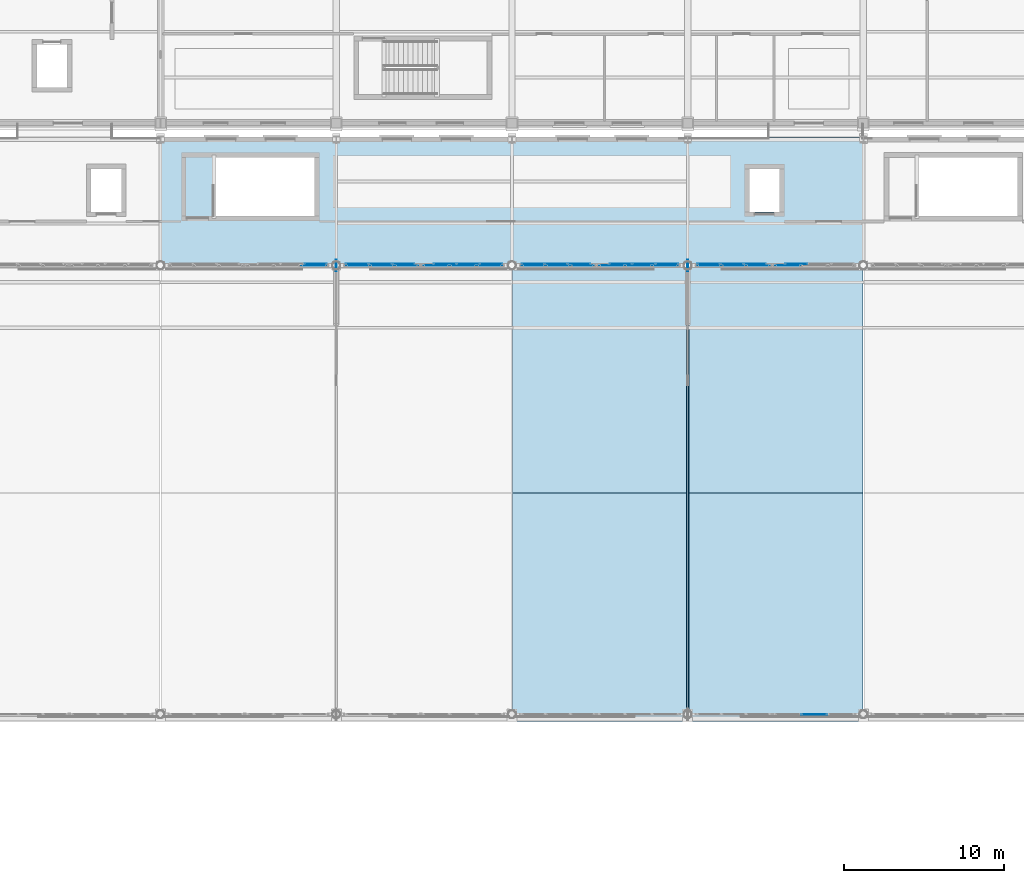
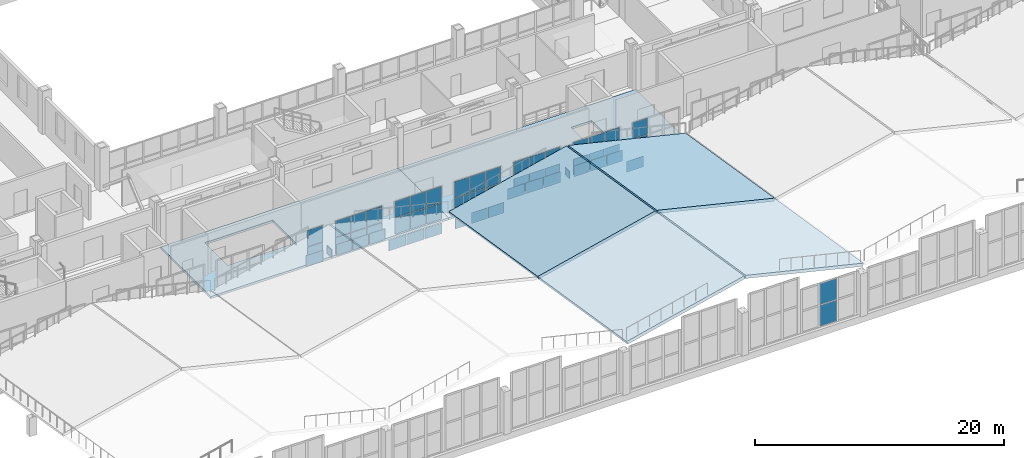
# One storey, part 80 of 120: 55 plates, 6 slabs, 15 elements without a shape of their own.
"""IFC4 building model written with IfcOpenShell, lengths in metres."""

import ifcopenshell
import ifcopenshell.guid

model = None  # the IFC model being written
_history = None  # IfcOwnerHistory: only IFC2X3 demands one
_inside = {}  # id of a spatial element -> (the spatial element, [elements in it])
_under = {}  # id of a project, library or spatial element -> (it, [spatial elements below it])
_declared = {}  # id of a project -> (the project, [libraries it declares])
_typed = {}  # id of a type object -> (the type object, [elements of that type])
_made_of = {}  # id of a material, layer set ... -> (it, [elements and type objects made of it])


def new_model(schema):
    """Start an empty IFC model of exactly this schema.

    Asked for "IFC4X3", IfcOpenShell would pick the latest addendum, in which some entities
    have other attributes; the version numbers below select the first issue.
    IFC2X3 requires an IfcOwnerHistory on every rooted entity: one is made here for all.
    """
    global model, _history
    if schema == "IFC4X3":
        model = ifcopenshell.file(schema_version=(4, 3, 0, 0))
    else:
        model = ifcopenshell.file(schema=schema)
    _inside.clear()
    _under.clear()
    _declared.clear()
    _typed.clear()
    _made_of.clear()
    _history = None
    if model.schema == "IFC2X3":
        org = make("IfcOrganization", Name="unknown")
        user = make(
            "IfcPersonAndOrganization",
            ThePerson=make("IfcPerson", FamilyName="unknown"),
            TheOrganization=org,
        )
        app = make(
            "IfcApplication",
            ApplicationDeveloper=org,
            Version="unknown",
            ApplicationFullName="unknown",
            ApplicationIdentifier="unknown",
        )
        _history = make(
            "IfcOwnerHistory",
            OwningUser=user,
            OwningApplication=app,
            ChangeAction="ADDED",
            CreationDate=0,
        )
    return model


def make(cls, **values):
    """One entity of the class cls with the attributes given. An attribute that is None is left unset."""
    return model.create_entity(
        cls, **{name: value for name, value in values.items() if value is not None}
    )


def rooted(cls, **values):
    """An entity with a GlobalId (a new one), such as an element, a storey or a relation."""
    return make(cls, GlobalId=ifcopenshell.guid.new(), OwnerHistory=_history, **values)


def si_unit(unit_type, name, prefix=None):
    """IfcSIUnit, for example si_unit("LENGTHUNIT", "METRE", prefix="MILLI")."""
    return make("IfcSIUnit", UnitType=unit_type, Prefix=prefix, Name=name)


def assignment(units):
    """IfcUnitAssignment: the units of a project."""
    return None if units is None else make("IfcUnitAssignment", Units=units)


def point(xyz):
    """IfcCartesianPoint."""
    return None if xyz is None else make("IfcCartesianPoint", Coordinates=xyz)


def direction(xyz):
    """IfcDirection."""
    return None if xyz is None else make("IfcDirection", DirectionRatios=xyz)


def frame(location, z_axis=None, x_axis=None):
    """IfcAxis2Placement3D, a coordinate frame: its origin and axes. An axis left out is left unset."""
    return make(
        "IfcAxis2Placement3D",
        Location=point(location),
        Axis=direction(z_axis),
        RefDirection=direction(x_axis),
    )


def frame_2d(location, x_axis=None):
    """IfcAxis2Placement2D, a coordinate frame in the plane: its origin and x axis."""
    return make(
        "IfcAxis2Placement2D", Location=point(location), RefDirection=direction(x_axis)
    )


def origin():
    """The frame at (0, 0, 0) with its axes left unset."""
    return frame((0.0, 0.0, 0.0))


def origin_2d():
    """The frame at (0, 0) in the plane with its x axis left unset."""
    return frame_2d((0.0, 0.0))


def place(relative_to, where):
    """IfcLocalPlacement: puts the frame where relative to a parent placement (None: the world)."""
    return make(
        "IfcLocalPlacement", PlacementRelTo=relative_to, RelativePlacement=where
    )


def context(
    kind, dimensions, precision=None, world=None, true_north=None, identifier=None
):
    """IfcGeometricRepresentationContext, for example the 3D "Model" context."""
    return make(
        "IfcGeometricRepresentationContext",
        ContextIdentifier=identifier,
        ContextType=kind,
        CoordinateSpaceDimension=dimensions,
        Precision=precision,
        WorldCoordinateSystem=world,
        TrueNorth=true_north,
    )


def subcontext(parent, identifier, kind, view, scale=None):
    """IfcGeometricRepresentationSubContext, for example "Body" below "Model"."""
    return make(
        "IfcGeometricRepresentationSubContext",
        ContextIdentifier=identifier,
        ContextType=kind,
        ParentContext=parent,
        TargetScale=scale,
        TargetView=view,
    )


def project(units=None, contexts=None):
    """IfcProject with its units and contexts."""
    return rooted(
        "IfcProject",
        Name="project",
        RepresentationContexts=contexts,
        UnitsInContext=assignment(units),
    )


def spatial(cls, under=None, at=None, **own):
    """A site, building, storey or space (cls), placed at a placement, below another one or the project."""
    s = rooted(cls, ObjectPlacement=at, **own)
    if under is not None:
        _under.setdefault(under.id(), (under, []))[1].append(s)
    return s


def polyline(points):
    """IfcPolyline through the points."""
    return make("IfcPolyline", Points=[point(p) for p in points])


def profile(cls, at=None, kind="AREA", **sizes):
    """A parametric profile (cls). Its sizes go by their IFC names, for example OverallWidth=200.0."""
    return make(cls, ProfileType=kind, Position=at, **sizes)


def rectangle(**sizes):
    """IfcRectangleProfileDef."""
    return profile("IfcRectangleProfileDef", **sizes)


def outline(outer, holes=None, kind="AREA"):
    """IfcArbitraryClosedProfileDef: a profile drawn as a closed curve; with holes, ...WithVoids."""
    if holes is None:
        return make("IfcArbitraryClosedProfileDef", ProfileType=kind, OuterCurve=outer)
    return make(
        "IfcArbitraryProfileDefWithVoids",
        ProfileType=kind,
        OuterCurve=outer,
        InnerCurves=holes,
    )


def extrude(swept, where, along, depth):
    """IfcExtrudedAreaSolid: the profile swept, set in the frame where, extruded along a direction by depth."""
    return make(
        "IfcExtrudedAreaSolid",
        SweptArea=swept,
        Position=where,
        ExtrudedDirection=direction(along),
        Depth=depth,
    )


def shape(context_of_items, identifier, shape_type, items):
    """IfcShapeRepresentation: the items that make up one representation, for example the "Body"."""
    return make(
        "IfcShapeRepresentation",
        ContextOfItems=context_of_items,
        RepresentationIdentifier=identifier,
        RepresentationType=shape_type,
        Items=items,
    )


def material(Name=None, Category=None):
    """IfcMaterial."""
    return make("IfcMaterial", Name=Name, Category=Category)


def layer(
    of_material, thickness, ventilated=None, Name=None, Category=None, Priority=None
):
    """IfcMaterialLayer: one layer of a wall or slab, of a material (None: an air gap)."""
    return make(
        "IfcMaterialLayer",
        Material=of_material,
        LayerThickness=thickness,
        IsVentilated=ventilated,
        Name=Name,
        Category=Category,
        Priority=Priority,
    )


def layer_set(layers, Name=None):
    """IfcMaterialLayerSet."""
    return make("IfcMaterialLayerSet", MaterialLayers=layers, LayerSetName=Name)


def made_of(thing, what):
    """Note that an element or type object is made of a material, layer set ...; save() writes the relation."""
    if what is not None:
        _made_of.setdefault(what.id(), (what, []))[1].append(thing)
    return thing


def type_object(cls, material=None, **own):
    """A type object (cls), such as IfcWallType, which elements share."""
    return made_of(rooted(cls, **own), material)


def element(
    cls,
    number,
    at=None,
    inside=None,
    cuts=None,
    type_object=None,
    material=None,
    context=None,
    identifier="Body",
    shape_type=None,
    held_by="IfcProductDefinitionShape",
    body=None,
    shapes=None,
    **own,
):
    """One element of the class cls, such as IfcWall. Its Tag is "e" and its number.

    at: its placement. inside: the storey or other place that contains it. cuts: it is an
    opening in that element (IfcRelVoidsElement). A single representation is given by context,
    identifier, shape_type and body (its items); several are given by shapes. held_by: the class
    of the entity that holds the representations. save() writes the other relations.
    """
    e = rooted(cls, Tag="e%d" % number, ObjectPlacement=at, **own)
    if body is not None:
        shapes = [shape(context, identifier, shape_type, body)]
    if shapes is not None:
        e.Representation = make(held_by, Representations=shapes)
    if inside is not None:
        _inside.setdefault(inside.id(), (inside, []))[1].append(e)
    if cuts is not None:
        rooted(
            "IfcRelVoidsElement", RelatingBuildingElement=cuts, RelatedOpeningElement=e
        )
    if type_object is not None:
        _typed.setdefault(type_object.id(), (type_object, []))[1].append(e)
    return made_of(e, material)


def aggregate(whole, parts):
    """IfcRelAggregates: a whole, such as a stair, and the parts it consists of."""
    return rooted("IfcRelAggregates", RelatingObject=whole, RelatedObjects=parts)


def save(model, path):
    """Write the relations noted so far, then the file.

    IfcRelAggregates (storeys below a building ...), IfcRelContainedInSpatialStructure (elements
    in a storey), IfcRelDefinesByType, IfcRelAssociatesMaterial and IfcRelDeclares: one each for
    every whole, place, type object, material and project.
    """
    for whole, parts in _under.values():
        aggregate(whole, parts)
    for where, things in _inside.values():
        rooted(
            "IfcRelContainedInSpatialStructure",
            RelatedElements=things,
            RelatingStructure=where,
        )
    for kind, things in _typed.values():
        rooted("IfcRelDefinesByType", RelatedObjects=things, RelatingType=kind)
    for what, things in _made_of.values():
        rooted("IfcRelAssociatesMaterial", RelatedObjects=things, RelatingMaterial=what)
    for by, libraries in _declared.values():
        rooted("IfcRelDeclares", RelatingContext=by, RelatedDefinitions=libraries)
    model.write(path)


model = new_model("IFC4")

# Units and contexts
model_context = context("Model", 3, precision=1e-05, world=origin(), true_north=direction((0.0, 1.0)))
body_context = subcontext(model_context, "Body", "Model", "MODEL_VIEW")
ifc_project = project(units=[si_unit("LENGTHUNIT", "METRE"), si_unit("AREAUNIT", "SQUARE_METRE"), si_unit("VOLUMEUNIT", "CUBIC_METRE"), si_unit("PLANEANGLEUNIT", "RADIAN"), si_unit("MASSUNIT", "GRAM", prefix="KILO")], contexts=[model_context])

# Site, building, storey
site_placement = place(None, origin())
site = spatial("IfcSite", under=ifc_project, at=site_placement, CompositionType="ELEMENT")
building_placement = place(site_placement, origin())
building = spatial("IfcBuilding", under=site, at=building_placement, Name="Caurita Quay Ferry Terminal", CompositionType="ELEMENT")
storey_placement = place(building_placement, frame((0.0, 0.0, 9.89990234375)))
storey = spatial("IfcBuildingStorey", under=building, at=storey_placement, Name="L02", CompositionType="ELEMENT", Elevation=9.89990234375)

# Curtain wall, plates
ifc_material_1 = material(Name="Laminated solar-control insulated glass", Category="glass")
curtain_wall_type_1 = type_object("IfcCurtainWallType", Name="CW-SYS-13", PredefinedType="NOTDEFINED", material=ifc_material_1)
curtain_wall_1_placement = place(storey_placement, origin())
curtain_wall_1 = element("IfcCurtainWall", 1, at=curtain_wall_1_placement, inside=storey, type_object=curtain_wall_type_1, Name="Mezzanine Hall Overlook Glazing 094", PredefinedType="NOTDEFINED")
ifc_layer_1 = layer(ifc_material_1, 0.02392578125, Name="Laminated low-e hurricane-rated glazing unit 24 mm")
ifc_layer_set_1 = layer_set([ifc_layer_1], Name="Laminated solar-control insulated glass")
plate_type_1 = type_object("IfcPlateType", Name="CW-PNL-24", PredefinedType="CURTAIN_PANEL", material=ifc_layer_set_1)
plate_1_placement = place(storey_placement, frame((31.70166015625, 62.800048828125, 0.05810546875), z_axis=(0.0, 0.0, 1.0), x_axis=(1.0, 0.0, 0.0)))
plate_1 = element("IfcPlate", 2, at=plate_1_placement, type_object=plate_type_1, Name="CW-MZL-094 Glazing Panel 5", PredefinedType="CURTAIN_PANEL", context=body_context, shape_type="SweptSolid", body=[
    extrude(rectangle(XDim=1.380615234375, YDim=0.02392578125, at=origin_2d()), origin(), (0.0, 0.0, 1.0), 1.56396484375),
])
plate_2_placement = place(storey_placement, frame((31.70166015625, 62.800048828125, 1.67822265625), z_axis=(0.0, 0.0, 1.0), x_axis=(1.0, 0.0, 0.0)))
plate_2 = element("IfcPlate", 3, at=plate_2_placement, type_object=plate_type_1, Name="CW-MZL-094 Glazing Panel 6", PredefinedType="CURTAIN_PANEL", context=body_context, shape_type="SweptSolid", body=[
    extrude(rectangle(XDim=1.380615234375, YDim=0.02392578125, at=origin_2d()), origin(), (0.0, 0.0, 1.0), 1.56396484375),
])
aggregate(curtain_wall_1, [plate_1, plate_2])

curtain_wall_2_placement = place(storey_placement, origin())
curtain_wall_2 = element("IfcCurtainWall", 4, at=curtain_wall_2_placement, inside=storey, type_object=curtain_wall_type_1, Name="Mezzanine Hall Overlook Glazing 095", PredefinedType="NOTDEFINED")
plate_3_placement = place(storey_placement, frame((34.29833984375, 62.800048828125, 0.05810546875), z_axis=(0.0, 0.0, 1.0), x_axis=(1.0, 0.0, 0.0)))
plate_3 = element("IfcPlate", 5, at=plate_3_placement, type_object=plate_type_1, Name="CW-MZL-095 Glazing Panel 1", PredefinedType="CURTAIN_PANEL", context=body_context, shape_type="SweptSolid", body=[
    extrude(rectangle(XDim=1.380615234375, YDim=0.02392578125, at=origin_2d()), origin(), (0.0, 0.0, 1.0), 1.56396484375),
])
plate_4_placement = place(storey_placement, frame((34.29833984375, 62.800048828125, 1.67822265625), z_axis=(0.0, 0.0, 1.0), x_axis=(1.0, 0.0, 0.0)))
plate_4 = element("IfcPlate", 6, at=plate_4_placement, type_object=plate_type_1, Name="CW-MZL-095 Glazing Panel 2", PredefinedType="CURTAIN_PANEL", context=body_context, shape_type="SweptSolid", body=[
    extrude(rectangle(XDim=1.380615234375, YDim=0.02392578125, at=origin_2d()), origin(), (0.0, 0.0, 1.0), 1.56396484375),
])
plate_5_placement = place(storey_placement, frame((35.75, 62.800048828125, 0.05810546875), z_axis=(0.0, 0.0, 1.0), x_axis=(1.0, 0.0, 0.0)))
plate_5 = element("IfcPlate", 7, at=plate_5_placement, type_object=plate_type_1, Name="CW-MZL-095 Glazing Panel 3", PredefinedType="CURTAIN_PANEL", context=body_context, shape_type="SweptSolid", body=[
    extrude(rectangle(XDim=1.41064453125, YDim=0.02392578125, at=origin_2d()), origin(), (0.0, 0.0, 1.0), 1.56396484375),
])
plate_6_placement = place(storey_placement, frame((35.75, 62.800048828125, 1.67822265625), z_axis=(0.0, 0.0, 1.0), x_axis=(1.0, 0.0, 0.0)))
plate_6 = element("IfcPlate", 8, at=plate_6_placement, type_object=plate_type_1, Name="CW-MZL-095 Glazing Panel 4", PredefinedType="CURTAIN_PANEL", context=body_context, shape_type="SweptSolid", body=[
    extrude(rectangle(XDim=1.41064453125, YDim=0.02392578125, at=origin_2d()), origin(), (0.0, 0.0, 1.0), 1.56396484375),
])
plate_7_placement = place(storey_placement, frame((37.20166015625, 62.800048828125, 0.05810546875), z_axis=(0.0, 0.0, 1.0), x_axis=(1.0, 0.0, 0.0)))
plate_7 = element("IfcPlate", 9, at=plate_7_placement, type_object=plate_type_1, Name="CW-MZL-095 Glazing Panel 5", PredefinedType="CURTAIN_PANEL", context=body_context, shape_type="SweptSolid", body=[
    extrude(rectangle(XDim=1.380615234375, YDim=0.02392578125, at=origin_2d()), origin(), (0.0, 0.0, 1.0), 1.56396484375),
])
plate_8_placement = place(storey_placement, frame((37.20166015625, 62.800048828125, 1.67822265625), z_axis=(0.0, 0.0, 1.0), x_axis=(1.0, 0.0, 0.0)))
plate_8 = element("IfcPlate", 10, at=plate_8_placement, type_object=plate_type_1, Name="CW-MZL-095 Glazing Panel 6", PredefinedType="CURTAIN_PANEL", context=body_context, shape_type="SweptSolid", body=[
    extrude(rectangle(XDim=1.380615234375, YDim=0.02392578125, at=origin_2d()), origin(), (0.0, 0.0, 1.0), 1.56396484375),
])
aggregate(curtain_wall_2, [plate_3, plate_4, plate_5, plate_6, plate_7, plate_8])

curtain_wall_3_placement = place(storey_placement, origin())
curtain_wall_3 = element("IfcCurtainWall", 11, at=curtain_wall_3_placement, inside=storey, type_object=curtain_wall_type_1, Name="Mezzanine Hall Overlook Glazing 096", PredefinedType="NOTDEFINED")
plate_9_placement = place(storey_placement, frame((39.79833984375, 62.800048828125, 0.05810546875), z_axis=(0.0, 0.0, 1.0), x_axis=(1.0, 0.0, 0.0)))
plate_9 = element("IfcPlate", 12, at=plate_9_placement, type_object=plate_type_1, Name="CW-MZL-096 Glazing Panel 1", PredefinedType="CURTAIN_PANEL", context=body_context, shape_type="SweptSolid", body=[
    extrude(rectangle(XDim=1.380615234375, YDim=0.02392578125, at=origin_2d()), origin(), (0.0, 0.0, 1.0), 1.56396484375),
])
plate_10_placement = place(storey_placement, frame((39.79833984375, 62.800048828125, 1.67822265625), z_axis=(0.0, 0.0, 1.0), x_axis=(1.0, 0.0, 0.0)))
plate_10 = element("IfcPlate", 13, at=plate_10_placement, type_object=plate_type_1, Name="CW-MZL-096 Glazing Panel 2", PredefinedType="CURTAIN_PANEL", context=body_context, shape_type="SweptSolid", body=[
    extrude(rectangle(XDim=1.380615234375, YDim=0.02392578125, at=origin_2d()), origin(), (0.0, 0.0, 1.0), 1.56396484375),
])
plate_11_placement = place(storey_placement, frame((41.25, 62.800048828125, 0.05810546875), z_axis=(0.0, 0.0, 1.0), x_axis=(1.0, 0.0, 0.0)))
plate_11 = element("IfcPlate", 14, at=plate_11_placement, type_object=plate_type_1, Name="CW-MZL-096 Glazing Panel 3", PredefinedType="CURTAIN_PANEL", context=body_context, shape_type="SweptSolid", body=[
    extrude(rectangle(XDim=1.41064453125, YDim=0.02392578125, at=origin_2d()), origin(), (0.0, 0.0, 1.0), 1.56396484375),
])
plate_12_placement = place(storey_placement, frame((41.25, 62.800048828125, 1.67822265625), z_axis=(0.0, 0.0, 1.0), x_axis=(1.0, 0.0, 0.0)))
plate_12 = element("IfcPlate", 15, at=plate_12_placement, type_object=plate_type_1, Name="CW-MZL-096 Glazing Panel 4", PredefinedType="CURTAIN_PANEL", context=body_context, shape_type="SweptSolid", body=[
    extrude(rectangle(XDim=1.41064453125, YDim=0.02392578125, at=origin_2d()), origin(), (0.0, 0.0, 1.0), 1.56396484375),
])
plate_13_placement = place(storey_placement, frame((42.70166015625, 62.800048828125, 0.05810546875), z_axis=(0.0, 0.0, 1.0), x_axis=(1.0, 0.0, 0.0)))
plate_13 = element("IfcPlate", 16, at=plate_13_placement, type_object=plate_type_1, Name="CW-MZL-096 Glazing Panel 5", PredefinedType="CURTAIN_PANEL", context=body_context, shape_type="SweptSolid", body=[
    extrude(rectangle(XDim=1.380615234375, YDim=0.02392578125, at=origin_2d()), origin(), (0.0, 0.0, 1.0), 1.56396484375),
])
plate_14_placement = place(storey_placement, frame((42.70166015625, 62.800048828125, 1.67822265625), z_axis=(0.0, 0.0, 1.0), x_axis=(1.0, 0.0, 0.0)))
plate_14 = element("IfcPlate", 17, at=plate_14_placement, type_object=plate_type_1, Name="CW-MZL-096 Glazing Panel 6", PredefinedType="CURTAIN_PANEL", context=body_context, shape_type="SweptSolid", body=[
    extrude(rectangle(XDim=1.380615234375, YDim=0.02392578125, at=origin_2d()), origin(), (0.0, 0.0, 1.0), 1.56396484375),
])
aggregate(curtain_wall_3, [plate_9, plate_10, plate_11, plate_12, plate_13, plate_14])

curtain_wall_4_placement = place(storey_placement, origin())
curtain_wall_4 = element("IfcCurtainWall", 18, at=curtain_wall_4_placement, inside=storey, type_object=curtain_wall_type_1, Name="Mezzanine Hall Overlook Glazing 097", PredefinedType="NOTDEFINED")
plate_15_placement = place(storey_placement, frame((45.29833984375, 62.800048828125, 0.05810546875), z_axis=(0.0, 0.0, 1.0), x_axis=(1.0, 0.0, 0.0)))
plate_15 = element("IfcPlate", 19, at=plate_15_placement, type_object=plate_type_1, Name="CW-MZL-097 Glazing Panel 1", PredefinedType="CURTAIN_PANEL", context=body_context, shape_type="SweptSolid", body=[
    extrude(rectangle(XDim=1.380615234375, YDim=0.02392578125, at=origin_2d()), origin(), (0.0, 0.0, 1.0), 1.56396484375),
])
plate_16_placement = place(storey_placement, frame((45.29833984375, 62.800048828125, 1.67822265625), z_axis=(0.0, 0.0, 1.0), x_axis=(1.0, 0.0, 0.0)))
plate_16 = element("IfcPlate", 20, at=plate_16_placement, type_object=plate_type_1, Name="CW-MZL-097 Glazing Panel 2", PredefinedType="CURTAIN_PANEL", context=body_context, shape_type="SweptSolid", body=[
    extrude(rectangle(XDim=1.380615234375, YDim=0.02392578125, at=origin_2d()), origin(), (0.0, 0.0, 1.0), 1.56396484375),
])
plate_17_placement = place(storey_placement, frame((46.75, 62.800048828125, 0.05810546875), z_axis=(0.0, 0.0, 1.0), x_axis=(1.0, 0.0, 0.0)))
plate_17 = element("IfcPlate", 21, at=plate_17_placement, type_object=plate_type_1, Name="CW-MZL-097 Glazing Panel 3", PredefinedType="CURTAIN_PANEL", context=body_context, shape_type="SweptSolid", body=[
    extrude(rectangle(XDim=1.41064453125, YDim=0.02392578125, at=origin_2d()), origin(), (0.0, 0.0, 1.0), 1.56396484375),
])
plate_18_placement = place(storey_placement, frame((46.75, 62.800048828125, 1.67822265625), z_axis=(0.0, 0.0, 1.0), x_axis=(1.0, 0.0, 0.0)))
plate_18 = element("IfcPlate", 22, at=plate_18_placement, type_object=plate_type_1, Name="CW-MZL-097 Glazing Panel 4", PredefinedType="CURTAIN_PANEL", context=body_context, shape_type="SweptSolid", body=[
    extrude(rectangle(XDim=1.41064453125, YDim=0.02392578125, at=origin_2d()), origin(), (0.0, 0.0, 1.0), 1.56396484375),
])
plate_19_placement = place(storey_placement, frame((48.20166015625, 62.800048828125, 0.05810546875), z_axis=(0.0, 0.0, 1.0), x_axis=(1.0, 0.0, 0.0)))
plate_19 = element("IfcPlate", 23, at=plate_19_placement, type_object=plate_type_1, Name="CW-MZL-097 Glazing Panel 5", PredefinedType="CURTAIN_PANEL", context=body_context, shape_type="SweptSolid", body=[
    extrude(rectangle(XDim=1.380615234375, YDim=0.02392578125, at=origin_2d()), origin(), (0.0, 0.0, 1.0), 1.56396484375),
])
plate_20_placement = place(storey_placement, frame((48.20166015625, 62.800048828125, 1.67822265625), z_axis=(0.0, 0.0, 1.0), x_axis=(1.0, 0.0, 0.0)))
plate_20 = element("IfcPlate", 24, at=plate_20_placement, type_object=plate_type_1, Name="CW-MZL-097 Glazing Panel 6", PredefinedType="CURTAIN_PANEL", context=body_context, shape_type="SweptSolid", body=[
    extrude(rectangle(XDim=1.380615234375, YDim=0.02392578125, at=origin_2d()), origin(), (0.0, 0.0, 1.0), 1.56396484375),
])
aggregate(curtain_wall_4, [plate_15, plate_16, plate_17, plate_18, plate_19, plate_20])

curtain_wall_5_placement = place(storey_placement, origin())
curtain_wall_5 = element("IfcCurtainWall", 25, at=curtain_wall_5_placement, inside=storey, type_object=curtain_wall_type_1, Name="Mezzanine Hall Overlook Glazing 098", PredefinedType="NOTDEFINED")
plate_21_placement = place(storey_placement, frame((50.79833984375, 62.800048828125, 0.05810546875), z_axis=(0.0, 0.0, 1.0), x_axis=(1.0, 0.0, 0.0)))
plate_21 = element("IfcPlate", 26, at=plate_21_placement, type_object=plate_type_1, Name="CW-MZL-098 Glazing Panel 1", PredefinedType="CURTAIN_PANEL", context=body_context, shape_type="SweptSolid", body=[
    extrude(rectangle(XDim=1.380615234375, YDim=0.02392578125, at=origin_2d()), origin(), (0.0, 0.0, 1.0), 1.56396484375),
])
plate_22_placement = place(storey_placement, frame((50.79833984375, 62.800048828125, 1.67822265625), z_axis=(0.0, 0.0, 1.0), x_axis=(1.0, 0.0, 0.0)))
plate_22 = element("IfcPlate", 27, at=plate_22_placement, type_object=plate_type_1, Name="CW-MZL-098 Glazing Panel 2", PredefinedType="CURTAIN_PANEL", context=body_context, shape_type="SweptSolid", body=[
    extrude(rectangle(XDim=1.380615234375, YDim=0.02392578125, at=origin_2d()), origin(), (0.0, 0.0, 1.0), 1.56396484375),
])
plate_23_placement = place(storey_placement, frame((52.25, 62.800048828125, 0.05810546875), z_axis=(0.0, 0.0, 1.0), x_axis=(1.0, 0.0, 0.0)))
plate_23 = element("IfcPlate", 28, at=plate_23_placement, type_object=plate_type_1, Name="CW-MZL-098 Glazing Panel 3", PredefinedType="CURTAIN_PANEL", context=body_context, shape_type="SweptSolid", body=[
    extrude(rectangle(XDim=1.41064453125, YDim=0.02392578125, at=origin_2d()), origin(), (0.0, 0.0, 1.0), 1.56396484375),
])
plate_24_placement = place(storey_placement, frame((52.25, 62.800048828125, 1.67822265625), z_axis=(0.0, 0.0, 1.0), x_axis=(1.0, 0.0, 0.0)))
plate_24 = element("IfcPlate", 29, at=plate_24_placement, type_object=plate_type_1, Name="CW-MZL-098 Glazing Panel 4", PredefinedType="CURTAIN_PANEL", context=body_context, shape_type="SweptSolid", body=[
    extrude(rectangle(XDim=1.41064453125, YDim=0.02392578125, at=origin_2d()), origin(), (0.0, 0.0, 1.0), 1.56396484375),
])
plate_25_placement = place(storey_placement, frame((53.70166015625, 62.800048828125, 0.05810546875), z_axis=(0.0, 0.0, 1.0), x_axis=(1.0, 0.0, 0.0)))
plate_25 = element("IfcPlate", 30, at=plate_25_placement, type_object=plate_type_1, Name="CW-MZL-098 Glazing Panel 5", PredefinedType="CURTAIN_PANEL", context=body_context, shape_type="SweptSolid", body=[
    extrude(rectangle(XDim=1.380615234375, YDim=0.02392578125, at=origin_2d()), origin(), (0.0, 0.0, 1.0), 1.56396484375),
])
plate_26_placement = place(storey_placement, frame((53.70166015625, 62.800048828125, 1.67822265625), z_axis=(0.0, 0.0, 1.0), x_axis=(1.0, 0.0, 0.0)))
plate_26 = element("IfcPlate", 31, at=plate_26_placement, type_object=plate_type_1, Name="CW-MZL-098 Glazing Panel 6", PredefinedType="CURTAIN_PANEL", context=body_context, shape_type="SweptSolid", body=[
    extrude(rectangle(XDim=1.380615234375, YDim=0.02392578125, at=origin_2d()), origin(), (0.0, 0.0, 1.0), 1.56396484375),
])
aggregate(curtain_wall_5, [plate_21, plate_22, plate_23, plate_24, plate_25, plate_26])

curtain_wall_6_placement = place(storey_placement, origin())
curtain_wall_6 = element("IfcCurtainWall", 32, at=curtain_wall_6_placement, inside=storey, type_object=curtain_wall_type_1, Name="Mezzanine Hall Overlook Glazing 099", PredefinedType="NOTDEFINED")
plate_27_placement = place(storey_placement, frame((56.29833984375, 62.800048828125, 0.05810546875), z_axis=(0.0, 0.0, 1.0), x_axis=(1.0, 0.0, 0.0)))
plate_27 = element("IfcPlate", 33, at=plate_27_placement, type_object=plate_type_1, Name="CW-MZL-099 Glazing Panel 1", PredefinedType="CURTAIN_PANEL", context=body_context, shape_type="SweptSolid", body=[
    extrude(rectangle(XDim=1.380615234375, YDim=0.02392578125, at=origin_2d()), origin(), (0.0, 0.0, 1.0), 1.56396484375),
])
plate_28_placement = place(storey_placement, frame((56.29833984375, 62.800048828125, 1.67822265625), z_axis=(0.0, 0.0, 1.0), x_axis=(1.0, 0.0, 0.0)))
plate_28 = element("IfcPlate", 34, at=plate_28_placement, type_object=plate_type_1, Name="CW-MZL-099 Glazing Panel 2", PredefinedType="CURTAIN_PANEL", context=body_context, shape_type="SweptSolid", body=[
    extrude(rectangle(XDim=1.380615234375, YDim=0.02392578125, at=origin_2d()), origin(), (0.0, 0.0, 1.0), 1.56396484375),
])
plate_29_placement = place(storey_placement, frame((57.75, 62.800048828125, 0.05810546875), z_axis=(0.0, 0.0, 1.0), x_axis=(1.0, 0.0, 0.0)))
plate_29 = element("IfcPlate", 35, at=plate_29_placement, type_object=plate_type_1, Name="CW-MZL-099 Glazing Panel 3", PredefinedType="CURTAIN_PANEL", context=body_context, shape_type="SweptSolid", body=[
    extrude(rectangle(XDim=1.41064453125, YDim=0.02392578125, at=origin_2d()), origin(), (0.0, 0.0, 1.0), 1.56396484375),
])
plate_30_placement = place(storey_placement, frame((57.75, 62.800048828125, 1.67822265625), z_axis=(0.0, 0.0, 1.0), x_axis=(1.0, 0.0, 0.0)))
plate_30 = element("IfcPlate", 36, at=plate_30_placement, type_object=plate_type_1, Name="CW-MZL-099 Glazing Panel 4", PredefinedType="CURTAIN_PANEL", context=body_context, shape_type="SweptSolid", body=[
    extrude(rectangle(XDim=1.41064453125, YDim=0.02392578125, at=origin_2d()), origin(), (0.0, 0.0, 1.0), 1.56396484375),
])
plate_31_placement = place(storey_placement, frame((59.20166015625, 62.800048828125, 0.05810546875), z_axis=(0.0, 0.0, 1.0), x_axis=(1.0, 0.0, 0.0)))
plate_31 = element("IfcPlate", 37, at=plate_31_placement, type_object=plate_type_1, Name="CW-MZL-099 Glazing Panel 5", PredefinedType="CURTAIN_PANEL", context=body_context, shape_type="SweptSolid", body=[
    extrude(rectangle(XDim=1.380615234375, YDim=0.02392578125, at=origin_2d()), origin(), (0.0, 0.0, 1.0), 1.56396484375),
])
plate_32_placement = place(storey_placement, frame((59.20166015625, 62.800048828125, 1.67822265625), z_axis=(0.0, 0.0, 1.0), x_axis=(1.0, 0.0, 0.0)))
plate_32 = element("IfcPlate", 38, at=plate_32_placement, type_object=plate_type_1, Name="CW-MZL-099 Glazing Panel 6", PredefinedType="CURTAIN_PANEL", context=body_context, shape_type="SweptSolid", body=[
    extrude(rectangle(XDim=1.380615234375, YDim=0.02392578125, at=origin_2d()), origin(), (0.0, 0.0, 1.0), 1.56396484375),
])
aggregate(curtain_wall_6, [plate_27, plate_28, plate_29, plate_30, plate_31, plate_32])

curtain_wall_7_placement = place(storey_placement, origin())
curtain_wall_7 = element("IfcCurtainWall", 39, at=curtain_wall_7_placement, inside=storey, type_object=curtain_wall_type_1, Name="Mezzanine Hall Overlook Glazing 100", PredefinedType="NOTDEFINED")
plate_33_placement = place(storey_placement, frame((61.79833984375, 62.800048828125, 0.05810546875), z_axis=(0.0, 0.0, 1.0), x_axis=(1.0, 0.0, 0.0)))
plate_33 = element("IfcPlate", 40, at=plate_33_placement, type_object=plate_type_1, Name="CW-MZL-100 Glazing Panel 1", PredefinedType="CURTAIN_PANEL", context=body_context, shape_type="SweptSolid", body=[
    extrude(rectangle(XDim=1.380615234375, YDim=0.02392578125, at=origin_2d()), origin(), (0.0, 0.0, 1.0), 1.56396484375),
])
plate_34_placement = place(storey_placement, frame((61.79833984375, 62.800048828125, 1.67822265625), z_axis=(0.0, 0.0, 1.0), x_axis=(1.0, 0.0, 0.0)))
plate_34 = element("IfcPlate", 41, at=plate_34_placement, type_object=plate_type_1, Name="CW-MZL-100 Glazing Panel 2", PredefinedType="CURTAIN_PANEL", context=body_context, shape_type="SweptSolid", body=[
    extrude(rectangle(XDim=1.380615234375, YDim=0.02392578125, at=origin_2d()), origin(), (0.0, 0.0, 1.0), 1.56396484375),
])
aggregate(curtain_wall_7, [plate_33, plate_34])

# Curtain wall, plate
curtain_wall_type_2 = type_object("IfcCurtainWallType", Name="CW-SYS-06", PredefinedType="NOTDEFINED", material=ifc_material_1)
curtain_wall_8_placement = place(storey_placement, origin())
curtain_wall_8 = element("IfcCurtainWall", 42, at=curtain_wall_8_placement, inside=storey, type_object=curtain_wall_type_2, Name="Folded Roof Clerestory FB-02-N2", PredefinedType="NOTDEFINED")
ifc_layer_2 = layer(ifc_material_1, 0.028076171875, Name="Laminated low-e hurricane-rated glazing unit 28 mm")
ifc_layer_set_2 = layer_set([ifc_layer_2], Name="Laminated solar-control insulated glass")
plate_type_2 = type_object("IfcPlateType", Name="CW-PNL-28", PredefinedType="CURTAIN_PANEL", material=ifc_layer_set_2)
plate_35_placement = place(storey_placement, frame((31.589599609375, 62.699951171875, -0.14599609375), z_axis=(0.0, 0.0, 1.0), x_axis=(1.0, 0.0, 0.0)))
plate_35 = element("IfcPlate", 43, at=plate_35_placement, type_object=plate_type_2, Name="CW-CLR-014 Glazing Panel 3", PredefinedType="CURTAIN_PANEL", context=body_context, shape_type="SweptSolid", body=[
    extrude(rectangle(XDim=1.57470703125, YDim=0.028076171875, at=origin_2d()), origin(), (0.0, 0.0, 1.0), 1.053955078125),
])
aggregate(curtain_wall_8, [plate_35])

# Curtain wall, plates
curtain_wall_type_3 = type_object("IfcCurtainWallType", Name="CW-SYS-05", PredefinedType="NOTDEFINED", material=ifc_material_1)
curtain_wall_9_placement = place(storey_placement, origin())
curtain_wall_9 = element("IfcCurtainWall", 44, at=curtain_wall_9_placement, inside=storey, type_object=curtain_wall_type_3, Name="Folded Roof Clerestory FB-02-N3", PredefinedType="NOTDEFINED")
plate_36_placement = place(storey_placement, frame((34.34375, 62.699951171875, -0.0498046875), z_axis=(0.0, 0.0, 1.0), x_axis=(1.0, 0.0, 0.0)))
plate_36 = element("IfcPlate", 45, at=plate_36_placement, type_object=plate_type_2, Name="CW-CLR-015 Glazing Panel 1", PredefinedType="CURTAIN_PANEL", context=body_context, shape_type="SweptSolid", body=[
    extrude(rectangle(XDim=1.44140625, YDim=0.028076171875, at=origin_2d()), origin(), (0.0, 0.0, 1.0), 1.053955078125),
])
plate_37_placement = place(storey_placement, frame((35.875, 62.699951171875, -0.0498046875), z_axis=(0.0, 0.0, 1.0), x_axis=(1.0, 0.0, 0.0)))
plate_37 = element("IfcPlate", 46, at=plate_37_placement, type_object=plate_type_2, Name="CW-CLR-015 Glazing Panel 2", PredefinedType="CURTAIN_PANEL", context=body_context, shape_type="SweptSolid", body=[
    extrude(rectangle(XDim=1.47900390625, YDim=0.028076171875, at=origin_2d()), origin(), (0.0, 0.0, 1.0), 1.053955078125),
])
plate_38_placement = place(storey_placement, frame((37.40625, 62.699951171875, -0.0498046875), z_axis=(0.0, 0.0, 1.0), x_axis=(1.0, 0.0, 0.0)))
plate_38 = element("IfcPlate", 47, at=plate_38_placement, type_object=plate_type_2, Name="CW-CLR-015 Glazing Panel 3", PredefinedType="CURTAIN_PANEL", context=body_context, shape_type="SweptSolid", body=[
    extrude(rectangle(XDim=1.44140625, YDim=0.028076171875, at=origin_2d()), origin(), (0.0, 0.0, 1.0), 1.053955078125),
])
aggregate(curtain_wall_9, [plate_36, plate_37, plate_38])

curtain_wall_10_placement = place(storey_placement, origin())
curtain_wall_10 = element("IfcCurtainWall", 48, at=curtain_wall_10_placement, inside=storey, type_object=curtain_wall_type_2, Name="Folded Roof Clerestory FB-02-N4", PredefinedType="NOTDEFINED")
plate_39_placement = place(storey_placement, frame((39.260498046875, 62.699951171875, -1.31005859375), z_axis=(0.0, 0.0, 1.0), x_axis=(1.0, 0.0, 0.0)))
plate_39 = element("IfcPlate", 49, at=plate_39_placement, type_object=plate_type_2, Name="CW-CLR-016 Glazing Panel 1", PredefinedType="CURTAIN_PANEL", context=body_context, shape_type="SweptSolid", body=[
    extrude(rectangle(XDim=1.57470703125, YDim=0.028076171875, at=origin_2d()), origin(), (0.0, 0.0, 1.0), 1.053955078125),
])
plate_40_placement = place(storey_placement, frame((40.925048828125, 62.699951171875, -1.31005859375), z_axis=(0.0, 0.0, 1.0), x_axis=(1.0, 0.0, 0.0)))
plate_40 = element("IfcPlate", 50, at=plate_40_placement, type_object=plate_type_2, Name="CW-CLR-016 Glazing Panel 2", PredefinedType="CURTAIN_PANEL", context=body_context, shape_type="SweptSolid", body=[
    extrude(rectangle(XDim=1.6123046875, YDim=0.028076171875, at=origin_2d()), origin(), (0.0, 0.0, 1.0), 1.053955078125),
])
plate_41_placement = place(storey_placement, frame((42.589599609375, 62.699951171875, -1.31005859375), z_axis=(0.0, 0.0, 1.0), x_axis=(1.0, 0.0, 0.0)))
plate_41 = element("IfcPlate", 51, at=plate_41_placement, type_object=plate_type_2, Name="CW-CLR-016 Glazing Panel 3", PredefinedType="CURTAIN_PANEL", context=body_context, shape_type="SweptSolid", body=[
    extrude(rectangle(XDim=1.57470703125, YDim=0.028076171875, at=origin_2d()), origin(), (0.0, 0.0, 1.0), 1.053955078125),
])
aggregate(curtain_wall_10, [plate_39, plate_40, plate_41])

curtain_wall_type_4 = type_object("IfcCurtainWallType", Name="CW-SYS-04", PredefinedType="NOTDEFINED", material=ifc_material_1)
curtain_wall_11_placement = place(storey_placement, origin())
curtain_wall_11 = element("IfcCurtainWall", 52, at=curtain_wall_11_placement, inside=storey, type_object=curtain_wall_type_4, Name="Folded Roof Clerestory FB-03-S4", PredefinedType="NOTDEFINED")
plate_42_placement = place(storey_placement, frame((62.925048828125, 34.60009765625, 0.0732421875), z_axis=(0.0, 0.0, 1.0), x_axis=(1.0, 0.0, 0.0)))
plate_42 = element("IfcPlate", 53, at=plate_42_placement, type_object=plate_type_2, Name="CW-CLR-020 Glazing Panel 3", PredefinedType="CURTAIN_PANEL", context=body_context, shape_type="SweptSolid", body=[
    extrude(rectangle(XDim=1.6123046875, YDim=0.028076171875, at=origin_2d()), origin(), (0.0, 0.0, 1.0), 2.048095703125),
])
plate_43_placement = place(storey_placement, frame((62.925048828125, 34.60009765625, 2.19189453125), z_axis=(0.0, 0.0, 1.0), x_axis=(1.0, 0.0, 0.0)))
plate_43 = element("IfcPlate", 54, at=plate_43_placement, type_object=plate_type_2, Name="CW-CLR-020 Glazing Panel 4", PredefinedType="CURTAIN_PANEL", context=body_context, shape_type="SweptSolid", body=[
    extrude(rectangle(XDim=1.6123046875, YDim=0.028076171875, at=origin_2d()), origin(), (0.0, 0.0, 1.0), 2.048095703125),
])
aggregate(curtain_wall_11, [plate_42, plate_43])

curtain_wall_12_placement = place(storey_placement, origin())
curtain_wall_12 = element("IfcCurtainWall", 55, at=curtain_wall_12_placement, inside=storey, type_object=curtain_wall_type_3, Name="Folded Roof Clerestory FB-03-N1", PredefinedType="NOTDEFINED")
plate_44_placement = place(storey_placement, frame((45.34375, 62.699951171875, -1.31005859375), z_axis=(0.0, 0.0, 1.0), x_axis=(1.0, 0.0, 0.0)))
plate_44 = element("IfcPlate", 56, at=plate_44_placement, type_object=plate_type_2, Name="CW-CLR-021 Glazing Panel 1", PredefinedType="CURTAIN_PANEL", context=body_context, shape_type="SweptSolid", body=[
    extrude(rectangle(XDim=1.44140625, YDim=0.028076171875, at=origin_2d()), origin(), (0.0, 0.0, 1.0), 1.053955078125),
])
plate_45_placement = place(storey_placement, frame((46.875, 62.699951171875, -1.31005859375), z_axis=(0.0, 0.0, 1.0), x_axis=(1.0, 0.0, 0.0)))
plate_45 = element("IfcPlate", 57, at=plate_45_placement, type_object=plate_type_2, Name="CW-CLR-021 Glazing Panel 2", PredefinedType="CURTAIN_PANEL", context=body_context, shape_type="SweptSolid", body=[
    extrude(rectangle(XDim=1.47900390625, YDim=0.028076171875, at=origin_2d()), origin(), (0.0, 0.0, 1.0), 1.053955078125),
])
plate_46_placement = place(storey_placement, frame((48.40625, 62.699951171875, -1.31005859375), z_axis=(0.0, 0.0, 1.0), x_axis=(1.0, 0.0, 0.0)))
plate_46 = element("IfcPlate", 58, at=plate_46_placement, type_object=plate_type_2, Name="CW-CLR-021 Glazing Panel 3", PredefinedType="CURTAIN_PANEL", context=body_context, shape_type="SweptSolid", body=[
    extrude(rectangle(XDim=1.44140625, YDim=0.028076171875, at=origin_2d()), origin(), (0.0, 0.0, 1.0), 1.053955078125),
])
aggregate(curtain_wall_12, [plate_44, plate_45, plate_46])

curtain_wall_13_placement = place(storey_placement, origin())
curtain_wall_13 = element("IfcCurtainWall", 59, at=curtain_wall_13_placement, inside=storey, type_object=curtain_wall_type_2, Name="Folded Roof Clerestory FB-03-N2", PredefinedType="NOTDEFINED")
plate_47_placement = place(storey_placement, frame((50.260498046875, 62.699951171875, -0.14599609375), z_axis=(0.0, 0.0, 1.0), x_axis=(1.0, 0.0, 0.0)))
plate_47 = element("IfcPlate", 60, at=plate_47_placement, type_object=plate_type_2, Name="CW-CLR-022 Glazing Panel 1", PredefinedType="CURTAIN_PANEL", context=body_context, shape_type="SweptSolid", body=[
    extrude(rectangle(XDim=1.57470703125, YDim=0.028076171875, at=origin_2d()), origin(), (0.0, 0.0, 1.0), 1.053955078125),
])
plate_48_placement = place(storey_placement, frame((51.925048828125, 62.699951171875, -0.14599609375), z_axis=(0.0, 0.0, 1.0), x_axis=(1.0, 0.0, 0.0)))
plate_48 = element("IfcPlate", 61, at=plate_48_placement, type_object=plate_type_2, Name="CW-CLR-022 Glazing Panel 2", PredefinedType="CURTAIN_PANEL", context=body_context, shape_type="SweptSolid", body=[
    extrude(rectangle(XDim=1.6123046875, YDim=0.028076171875, at=origin_2d()), origin(), (0.0, 0.0, 1.0), 1.053955078125),
])
plate_49_placement = place(storey_placement, frame((53.589599609375, 62.699951171875, -0.14599609375), z_axis=(0.0, 0.0, 1.0), x_axis=(1.0, 0.0, 0.0)))
plate_49 = element("IfcPlate", 62, at=plate_49_placement, type_object=plate_type_2, Name="CW-CLR-022 Glazing Panel 3", PredefinedType="CURTAIN_PANEL", context=body_context, shape_type="SweptSolid", body=[
    extrude(rectangle(XDim=1.57470703125, YDim=0.028076171875, at=origin_2d()), origin(), (0.0, 0.0, 1.0), 1.053955078125),
])
aggregate(curtain_wall_13, [plate_47, plate_48, plate_49])

curtain_wall_14_placement = place(storey_placement, origin())
curtain_wall_14 = element("IfcCurtainWall", 63, at=curtain_wall_14_placement, inside=storey, type_object=curtain_wall_type_3, Name="Folded Roof Clerestory FB-03-N3", PredefinedType="NOTDEFINED")
plate_50_placement = place(storey_placement, frame((56.34375, 62.699951171875, -0.0498046875), z_axis=(0.0, 0.0, 1.0), x_axis=(1.0, 0.0, 0.0)))
plate_50 = element("IfcPlate", 64, at=plate_50_placement, type_object=plate_type_2, Name="CW-CLR-023 Glazing Panel 1", PredefinedType="CURTAIN_PANEL", context=body_context, shape_type="SweptSolid", body=[
    extrude(rectangle(XDim=1.44140625, YDim=0.028076171875, at=origin_2d()), origin(), (0.0, 0.0, 1.0), 1.053955078125),
])
plate_51_placement = place(storey_placement, frame((57.875, 62.699951171875, -0.0498046875), z_axis=(0.0, 0.0, 1.0), x_axis=(1.0, 0.0, 0.0)))
plate_51 = element("IfcPlate", 65, at=plate_51_placement, type_object=plate_type_2, Name="CW-CLR-023 Glazing Panel 2", PredefinedType="CURTAIN_PANEL", context=body_context, shape_type="SweptSolid", body=[
    extrude(rectangle(XDim=1.47900390625, YDim=0.028076171875, at=origin_2d()), origin(), (0.0, 0.0, 1.0), 1.053955078125),
])
plate_52_placement = place(storey_placement, frame((59.40625, 62.699951171875, -0.0498046875), z_axis=(0.0, 0.0, 1.0), x_axis=(1.0, 0.0, 0.0)))
plate_52 = element("IfcPlate", 66, at=plate_52_placement, type_object=plate_type_2, Name="CW-CLR-023 Glazing Panel 3", PredefinedType="CURTAIN_PANEL", context=body_context, shape_type="SweptSolid", body=[
    extrude(rectangle(XDim=1.44140625, YDim=0.028076171875, at=origin_2d()), origin(), (0.0, 0.0, 1.0), 1.053955078125),
])
aggregate(curtain_wall_14, [plate_50, plate_51, plate_52])

# Curtain wall, plate
curtain_wall_15_placement = place(storey_placement, origin())
curtain_wall_15 = element("IfcCurtainWall", 67, at=curtain_wall_15_placement, inside=storey, type_object=curtain_wall_type_2, Name="Folded Roof Clerestory FB-03-N4", PredefinedType="NOTDEFINED")
plate_53_placement = place(storey_placement, frame((61.260498046875, 62.699951171875, -1.31005859375), z_axis=(0.0, 0.0, 1.0), x_axis=(1.0, 0.0, 0.0)))
plate_53 = element("IfcPlate", 68, at=plate_53_placement, type_object=plate_type_2, Name="CW-CLR-024 Glazing Panel 1", PredefinedType="CURTAIN_PANEL", context=body_context, shape_type="SweptSolid", body=[
    extrude(rectangle(XDim=1.57470703125, YDim=0.028076171875, at=origin_2d()), origin(), (0.0, 0.0, 1.0), 1.053955078125),
])
aggregate(curtain_wall_15, [plate_53])

# Plates
ifc_material_2 = material(Name="Structural plate steel ASTM A572 Gr. 50", Category="steel")
ifc_layer_3 = layer(ifc_material_2, 0.048095703125, Name="Structural steel connection plate 48 mm")
ifc_layer_set_3 = layer_set([ifc_layer_3], Name="Structural plate steel ASTM A572 Gr. 50")
plate_type_3 = type_object("IfcPlateType", Name="PLT-STL-48", PredefinedType="USERDEFINED", material=ifc_layer_set_3)
for number, where, z_axis, x_axis, name in (
    (69, (33.0, 62.699951171875, 0.175048828125), (0.0, 0.0, 1.0), (1.0, 0.0, 0.0), "Mast Collar Stay-Cable Gusset Plate V1-04-N"),
    (70, (55.0, 62.699951171875, 0.175048828125), (0.0, 0.0, 1.0), (1.0, 0.0, 0.0), "Mast Collar Stay-Cable Gusset Plate V1-06-N"),
):
    element("IfcPlate", number, at=place(storey_placement, frame(where, z_axis=z_axis, x_axis=x_axis)), inside=storey, type_object=plate_type_3, Name=name, ObjectType="GUSSET PLATE", PredefinedType="USERDEFINED", context=body_context, shape_type="SweptSolid", body=[
        extrude(rectangle(XDim=0.048095703125, YDim=0.719970703125, at=origin_2d()), origin(), (0.0, 0.0, 1.0), 0.75),
    ])

# Slabs
ifc_material_3 = material(Name="Reinforced concrete C35/45", Category="concrete")
ifc_layer_4 = layer(ifc_material_3, 0.219970703125, Name="Reinforced concrete floor slab 220 mm")
ifc_layer_set_4 = layer_set([ifc_layer_4], Name="Reinforced concrete C35/45")
slab_type_1 = type_object("IfcSlabType", Name="SLB-FLR-220", PredefinedType="FLOOR", material=ifc_layer_set_4)
slab_1_placement = place(storey_placement, frame((0.0, 0.0, -0.219970703125)))
element("IfcSlab", 71, at=slab_1_placement, inside=storey, type_object=slab_type_1, Name="L02 V1-MEZ Slab 02", PredefinedType="FLOOR", context=body_context, shape_type="SweptSolid", body=[
    extrude(outline(polyline([(22.0, 62.699951171875), (44.0, 62.699951171875), (44.0, 70.75), (22.0, 70.75), (22.0, 62.699951171875)]), holes=[polyline([(25.35009765625, 65.800048828125), (31.64990234375, 65.800048828125), (31.64990234375, 69.4599609375), (25.35009765625, 69.4599609375), (25.35009765625, 65.800048828125)])]), origin(), (0.0, 0.0, 1.0), 0.219970703125),
])
slab_2_placement = place(storey_placement, frame((0.0, 0.0, -0.219970703125)))
element("IfcSlab", 72, at=slab_2_placement, inside=storey, type_object=slab_type_1, Name="L02 V1-MEZ Slab 03", PredefinedType="FLOOR", context=body_context, shape_type="SweptSolid", body=[
    extrude(outline(polyline([(44.0, 62.699951171875), (66.0, 62.699951171875), (66.0, 70.75), (44.0, 70.75), (44.0, 62.699951171875)]), holes=[polyline([(58.85498046875, 66.054931640625), (60.7451171875, 66.054931640625), (60.7451171875, 68.7451171875), (58.85498046875, 68.7451171875), (58.85498046875, 66.054931640625)])]), origin(), (0.0, 0.0, 1.0), 0.219970703125),
])
ifc_layer_5 = layer(ifc_material_3, 0.280029296875, Name="Reinforced concrete roof slab 280 mm")
ifc_layer_set_5 = layer_set([ifc_layer_5], Name="Reinforced concrete C35/45")
slab_type_2 = type_object("IfcSlabType", Name="SLB-FOLD-280", PredefinedType="ROOF", material=ifc_layer_set_5)
for number, where, z_axis, x_axis, name in (
    (73, (44.0400390625, 34.199951171875, 5.169677734375), (-0.230611727555, 0.153733927912, 0.960824703327), (0.972384132882, 0.0, 0.233386156658), "Folded Concourse Roof Facet FB-03 W1"),
    (74, (44.0400390625, 48.449951171875, 2.8896484375), (-0.230611727555, 0.153733927912, 0.960824703327), (0.972384132882, 0.0, 0.233386156658), "Folded Concourse Roof Facet FB-03 W2"),
):
    element("IfcSlab", number, at=place(storey_placement, frame(where, z_axis=z_axis, x_axis=x_axis)), inside=storey, type_object=slab_type_2, Name=name, PredefinedType="ROOF", context=body_context, shape_type="SweptSolid", body=[
        extrude(outline(polyline([(0.0, 0.0), (11.18887324935576, 0.0), (10.656745974690594, 14.421438005905157), (-0.5321272746651661, 14.421438005905157), (0.0, 0.0)])), origin(), (0.0, 0.0, -1.0), 0.280029296875),
    ])
for number, where, z_axis, x_axis, name in (
    (75, (55.080078125, 34.199951171875, 7.781005859375), (0.230611727555, 0.153733927912, 0.960824703327), (0.972384132882, 0.0, -0.233386156658), "Folded Concourse Roof Facet FB-03 E1"),
    (76, (55.080078125, 48.449951171875, 5.5009765625), (0.230611727555, 0.153733927912, 0.960824703327), (0.972384132882, 0.0, -0.233386156658), "Folded Concourse Roof Facet FB-03 E2"),
):
    element("IfcSlab", number, at=place(storey_placement, frame(where, z_axis=z_axis, x_axis=x_axis)), inside=storey, type_object=slab_type_2, Name=name, PredefinedType="ROOF", context=body_context, shape_type="SweptSolid", body=[
        extrude(outline(polyline([(0.0, 0.0), (11.18887324935576, 0.0), (11.721000524020926, 14.421438005905157), (0.5321272746651661, 14.421438005905157), (0.0, 0.0)])), origin(), (0.0, 0.0, -1.0), 0.280029296875),
    ])

save(model, "model.ifc")
